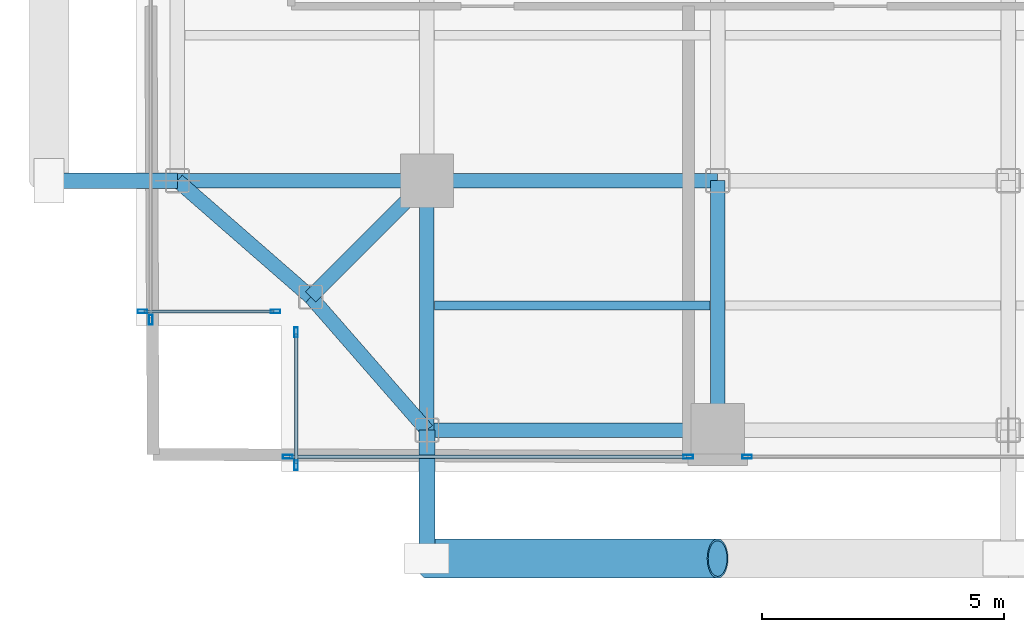
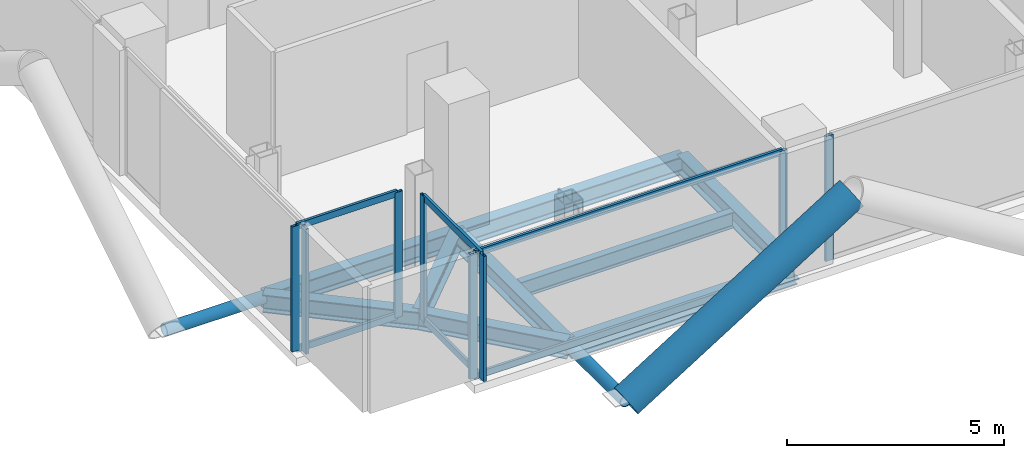
# One storey, part 2 of 28: 17 members, 9 beams, 5 elements without a shape of their own.
"""IFC4 building model written with IfcOpenShell, lengths in metres."""

from ifc_helpers import new_model, si_unit, direction, frame, origin, origin_2d, place, context, subcontext, project, spatial, hollow_rectangle, hollow_circle, i_section, extrude, material, layer, layer_set, material_profile, profile_set, type_object, element, aggregate, save


model = new_model("IFC4")

# Units and contexts
model_context = context("Model", 3, precision=1e-05, world=origin(), true_north=direction((0.0, 1.0)))
body_context = subcontext(model_context, "Body", "Model", "MODEL_VIEW")
ifc_project = project(units=[si_unit("LENGTHUNIT", "METRE"), si_unit("AREAUNIT", "SQUARE_METRE"), si_unit("VOLUMEUNIT", "CUBIC_METRE"), si_unit("PLANEANGLEUNIT", "RADIAN"), si_unit("MASSUNIT", "GRAM", prefix="KILO"), si_unit("THERMODYNAMICTEMPERATUREUNIT", "KELVIN"), si_unit("POWERUNIT", "WATT")], contexts=[model_context])

# Site, building, storey
site_placement = place(None, origin())
site = spatial("IfcSite", under=ifc_project, at=site_placement, CompositionType="ELEMENT")
building_placement = place(site_placement, origin())
building = spatial("IfcBuilding", under=site, at=building_placement, Name="Svarakhadi Broadcast Tower", CompositionType="ELEMENT")
storey_placement = place(building_placement, frame((0.0, 0.0, 134.39990234375)))
storey = spatial("IfcBuildingStorey", under=building, at=storey_placement, Name="L32", CompositionType="ELEMENT", Elevation=134.39990234375)

# Beam
ifc_material_1 = material(Name="Steel S355J2 (IS 2062 E350C)", Category="steel")
ifc_material_profile_1 = material_profile(ifc_material_1, i_section(OverallWidth=0.18994140625, OverallDepth=0.449951171875, WebThickness=0.009521484375, FlangeThickness=0.0146484375, FilletRadius=0.02099609375, at=origin_2d()), Name="NPB 450x190x78")
ifc_profile_set_1 = profile_set([ifc_material_profile_1], Name="Steel S355J2 (IS 2062 E350C)")
beam_type_1 = type_object("IfcBeamType", Name="Beam_NPB450", PredefinedType="BEAM", material=ifc_profile_set_1)
beam_1_placement = place(storey_placement, frame((6.159912109375, 3.425048828125, -0.449951171875), z_axis=(1.0, 0.0, 0.0), x_axis=(0.0, 1.0, 0.0)))
element("IfcBeam", 1, at=beam_1_placement, inside=storey, type_object=beam_type_1, Name="L32 Secondary Composite Beam SB006", PredefinedType="BEAM", context=body_context, shape_type="SweptSolid", body=[
    extrude(i_section(OverallWidth=0.18994140625, OverallDepth=0.449951171875, WebThickness=0.009521484375, FlangeThickness=0.0146484375, FilletRadius=0.02099609375, at=origin_2d()), origin(), (0.0, 0.0, 1.0), 5.68017578125),
])

# Curtain wall, members
ifc_material_2 = material(Name="Anodised Bronze Aluminium AA 6063-T6", Category="aluminium")
ifc_layer = layer(ifc_material_2, 0.199951171875)
ifc_layer_set = layer_set([ifc_layer], Name="Anodised Bronze Aluminium AA 6063-T6")
curtain_wall_type = type_object("IfcCurtainWallType", Name="CW_Sys_03", PredefinedType="NOTDEFINED", material=ifc_layer_set)
curtain_wall_1_placement = place(storey_placement, origin())
curtain_wall_1 = element("IfcCurtainWall", 2, at=curtain_wall_1_placement, inside=storey, type_object=curtain_wall_type, Name="L32 Unitised Facade Curtain Wall 01", PredefinedType="NOTDEFINED")
ifc_material_profile_2 = material_profile(ifc_material_2, hollow_rectangle(XDim=0.074951171875, YDim=0.199951171875, WallThickness=0.005615234375, at=origin_2d()), Name="ALU MULLION 200x75x6")
ifc_profile_set_2 = profile_set([ifc_material_profile_2], Name="Anodised Bronze Aluminium AA 6063-T6")
member_type_1 = type_object("IfcMemberType", Name="CW_Sys_03_Mul", PredefinedType="MULLION", material=ifc_profile_set_2)
member_1_placement = place(storey_placement, frame((2.87255859375, 3.300048828125, 0.0), z_axis=(0.0, 0.0, 1.0), x_axis=(0.0, -1.0, 0.0)))
member_1 = element("IfcMember", 3, at=member_1_placement, type_object=member_type_1, Name="CW-03 mullion 1", PredefinedType="MULLION", context=body_context, shape_type="SweptSolid", body=[
    extrude(hollow_rectangle(XDim=0.074951171875, YDim=0.199951171875, WallThickness=0.005615234375, at=origin_2d()), origin(), (0.0, 0.0, 1.0), 3.525146484375),
])
member_2_placement = place(storey_placement, frame((0.12744140625, 3.300048828125, 0.0), z_axis=(0.0, 0.0, 1.0), x_axis=(0.0, -1.0, 0.0)))
member_2 = element("IfcMember", 4, at=member_2_placement, type_object=member_type_1, Name="CW-03 mullion 2", PredefinedType="MULLION", context=body_context, shape_type="SweptSolid", body=[
    extrude(hollow_rectangle(XDim=0.074951171875, YDim=0.199951171875, WallThickness=0.005615234375, at=origin_2d()), origin(), (0.0, 0.0, 1.0), 3.525146484375),
])

# Curtain wall, member
curtain_wall_2_placement = place(storey_placement, origin())
curtain_wall_2 = element("IfcCurtainWall", 5, at=curtain_wall_2_placement, inside=storey, type_object=curtain_wall_type, Name="L32 West Curtain Wall 02 Bay 1", PredefinedType="NOTDEFINED")
member_3_placement = place(storey_placement, frame((0.300048828125, 3.12744140625, 0.0), z_axis=(0.0, 0.0, 1.0), x_axis=(-1.0, 0.0, 0.0)))
member_3 = element("IfcMember", 6, at=member_3_placement, type_object=member_type_1, Name="CW-03 mullion 1", PredefinedType="MULLION", context=body_context, shape_type="SweptSolid", body=[
    extrude(hollow_rectangle(XDim=0.074951171875, YDim=0.199951171875, WallThickness=0.005615234375, at=origin_2d()), origin(), (0.0, 0.0, 1.0), 3.525146484375),
])
aggregate(curtain_wall_2, [member_3])

curtain_wall_3_placement = place(storey_placement, origin())
curtain_wall_3 = element("IfcCurtainWall", 7, at=curtain_wall_3_placement, inside=storey, type_object=curtain_wall_type, Name="L32 South Curtain Wall 17 Bay 3", PredefinedType="NOTDEFINED")
member_4_placement = place(storey_placement, frame((12.607421875, 0.300048828125, 0.0), z_axis=(0.0, 0.0, 1.0), x_axis=(0.0, -1.0, 0.0)))
member_4 = element("IfcMember", 8, at=member_4_placement, type_object=member_type_1, Name="CW-03 mullion 2", PredefinedType="MULLION", context=body_context, shape_type="SweptSolid", body=[
    extrude(hollow_rectangle(XDim=0.074951171875, YDim=0.199951171875, WallThickness=0.005615234375, at=origin_2d()), origin(), (0.0, 0.0, 1.0), 3.525146484375),
])
aggregate(curtain_wall_3, [member_4])

# Curtain wall, members
curtain_wall_4_placement = place(storey_placement, origin())
curtain_wall_4 = element("IfcCurtainWall", 9, at=curtain_wall_4_placement, inside=storey, type_object=curtain_wall_type, Name="L32 South Curtain Wall 17 Bay 4", PredefinedType="NOTDEFINED")
member_5_placement = place(storey_placement, frame((11.392578125, 0.300048828125, 0.0), z_axis=(0.0, 0.0, 1.0), x_axis=(0.0, -1.0, 0.0)))
member_5 = element("IfcMember", 10, at=member_5_placement, type_object=member_type_1, Name="CW-03 mullion 1", PredefinedType="MULLION", context=body_context, shape_type="SweptSolid", body=[
    extrude(hollow_rectangle(XDim=0.074951171875, YDim=0.199951171875, WallThickness=0.005615234375, at=origin_2d()), origin(), (0.0, 0.0, 1.0), 3.525146484375),
])
member_6_placement = place(storey_placement, frame((3.12744140625, 0.300048828125, 0.0), z_axis=(0.0, 0.0, 1.0), x_axis=(0.0, -1.0, 0.0)))
member_6 = element("IfcMember", 11, at=member_6_placement, type_object=member_type_1, Name="CW-03 mullion 2", PredefinedType="MULLION", context=body_context, shape_type="SweptSolid", body=[
    extrude(hollow_rectangle(XDim=0.074951171875, YDim=0.199951171875, WallThickness=0.005615234375, at=origin_2d()), origin(), (0.0, 0.0, 1.0), 3.525146484375),
])

curtain_wall_5_placement = place(storey_placement, origin())
curtain_wall_5 = element("IfcCurtainWall", 12, at=curtain_wall_5_placement, inside=storey, type_object=curtain_wall_type, Name="L32 Unitised Facade Curtain Wall 18", PredefinedType="NOTDEFINED")
member_7_placement = place(storey_placement, frame((3.300048828125, 0.12744140625, 0.0), z_axis=(0.0, 0.0, 1.0), x_axis=(-1.0, 0.0, 0.0)))
member_7 = element("IfcMember", 13, at=member_7_placement, type_object=member_type_1, Name="CW-03 mullion 1", PredefinedType="MULLION", context=body_context, shape_type="SweptSolid", body=[
    extrude(hollow_rectangle(XDim=0.074951171875, YDim=0.199951171875, WallThickness=0.005615234375, at=origin_2d()), origin(), (0.0, 0.0, 1.0), 3.525146484375),
])
member_8_placement = place(storey_placement, frame((3.300048828125, 2.87255859375, 0.0), z_axis=(0.0, 0.0, 1.0), x_axis=(-1.0, 0.0, 0.0)))
member_8 = element("IfcMember", 14, at=member_8_placement, type_object=member_type_1, Name="CW-03 mullion 2", PredefinedType="MULLION", context=body_context, shape_type="SweptSolid", body=[
    extrude(hollow_rectangle(XDim=0.074951171875, YDim=0.199951171875, WallThickness=0.005615234375, at=origin_2d()), origin(), (0.0, 0.0, 1.0), 3.525146484375),
])

# Member
ifc_material_profile_3 = material_profile(ifc_material_2, hollow_rectangle(XDim=0.070068359375, YDim=0.18505859375, WallThickness=0.0048828125, at=origin_2d()), Name="ALU TRANSOM 185x70x5")
ifc_profile_set_3 = profile_set([ifc_material_profile_3], Name="Anodised Bronze Aluminium AA 6063-T6")
member_type_2 = type_object("IfcMemberType", Name="CW_Sys_03_Trn", PredefinedType="USERDEFINED", material=ifc_profile_set_3)
member_9_placement = place(storey_placement, frame((2.8349609375, 3.300048828125, 0.03515625), z_axis=(-1.0, 0.0, 0.0), x_axis=(0.0, -1.0, 0.0)))
member_9 = element("IfcMember", 15, at=member_9_placement, type_object=member_type_2, Name="CW-03 transom 1.1", ObjectType="TRANSOM", PredefinedType="USERDEFINED", context=body_context, shape_type="SweptSolid", body=[
    extrude(hollow_rectangle(XDim=0.070068359375, YDim=0.18505859375, WallThickness=0.0048828125, at=origin_2d()), origin(), (0.0, 0.0, 1.0), 2.669921875),
])

member_10_placement = place(storey_placement, frame((2.8349609375, 3.300048828125, 3.489990234375), z_axis=(-1.0, 0.0, 0.0), x_axis=(0.0, -1.0, 0.0)))
member_10 = element("IfcMember", 16, at=member_10_placement, type_object=member_type_2, Name="CW-03 transom 1.2", ObjectType="TRANSOM", PredefinedType="USERDEFINED", context=body_context, shape_type="SweptSolid", body=[
    extrude(hollow_rectangle(XDim=0.070068359375, YDim=0.18505859375, WallThickness=0.0048828125, at=origin_2d()), origin(), (0.0, 0.0, 1.0), 2.669921875),
])

aggregate(curtain_wall_1, [member_1, member_2, member_9, member_10])

member_11_placement = place(storey_placement, frame((11.35498046875, 0.300048828125, 0.03515625), z_axis=(-1.0, 0.0, 0.0), x_axis=(0.0, -1.0, 0.0)))
member_11 = element("IfcMember", 17, at=member_11_placement, type_object=member_type_2, Name="CW-03 transom 1.1", ObjectType="TRANSOM", PredefinedType="USERDEFINED", context=body_context, shape_type="SweptSolid", body=[
    extrude(hollow_rectangle(XDim=0.070068359375, YDim=0.18505859375, WallThickness=0.0048828125, at=origin_2d()), origin(), (0.0, 0.0, 1.0), 8.18994140625),
])

member_12_placement = place(storey_placement, frame((11.35498046875, 0.300048828125, 3.489990234375), z_axis=(-1.0, 0.0, 0.0), x_axis=(0.0, -1.0, 0.0)))
member_12 = element("IfcMember", 18, at=member_12_placement, type_object=member_type_2, Name="CW-03 transom 1.2", ObjectType="TRANSOM", PredefinedType="USERDEFINED", context=body_context, shape_type="SweptSolid", body=[
    extrude(hollow_rectangle(XDim=0.070068359375, YDim=0.18505859375, WallThickness=0.0048828125, at=origin_2d()), origin(), (0.0, 0.0, 1.0), 8.18994140625),
])

aggregate(curtain_wall_4, [member_5, member_6, member_11, member_12])

member_13_placement = place(storey_placement, frame((3.300048828125, 0.1650390625, 0.03515625), z_axis=(0.0, 1.0, 0.0), x_axis=(-1.0, 0.0, 0.0)))
member_13 = element("IfcMember", 19, at=member_13_placement, type_object=member_type_2, Name="CW-03 transom 1.1", ObjectType="TRANSOM", PredefinedType="USERDEFINED", context=body_context, shape_type="SweptSolid", body=[
    extrude(hollow_rectangle(XDim=0.070068359375, YDim=0.18505859375, WallThickness=0.0048828125, at=origin_2d()), origin(), (0.0, 0.0, 1.0), 2.669921875),
])

member_14_placement = place(storey_placement, frame((3.300048828125, 0.1650390625, 3.489990234375), z_axis=(0.0, 1.0, 0.0), x_axis=(-1.0, 0.0, 0.0)))
member_14 = element("IfcMember", 20, at=member_14_placement, type_object=member_type_2, Name="CW-03 transom 1.2", ObjectType="TRANSOM", PredefinedType="USERDEFINED", context=body_context, shape_type="SweptSolid", body=[
    extrude(hollow_rectangle(XDim=0.070068359375, YDim=0.18505859375, WallThickness=0.0048828125, at=origin_2d()), origin(), (0.0, 0.0, 1.0), 2.669921875),
])

aggregate(curtain_wall_5, [member_7, member_8, member_13, member_14])

# Members
ifc_material_3 = material(Name="Steel S460ML (IS 2062 E450BR)", Category="steel")
ifc_material_profile_4 = material_profile(ifc_material_3, hollow_circle(Radius=0.406494140625, WallThickness=0.0400390625, at=origin_2d()), Name="CHS 813x40")
ifc_profile_set_4 = profile_set([ifc_material_profile_4], Name="Steel S460ML (IS 2062 E450BR)")
member_type_3 = type_object("IfcMemberType", Name="Exo_Brace_CHS813", PredefinedType="BRACE", material=ifc_profile_set_4)
member_15_placement = place(storey_placement, frame((6.0, -1.800048828125, -0.386962890625), z_axis=(0.847998304005, 0.0, 0.529998940003), x_axis=(0.0, 1.0, 0.0)))
element("IfcMember", 21, at=member_15_placement, inside=storey, type_object=member_type_3, Name="L32 Exposed Bronze Exoskeleton Diagonal S01", PredefinedType="BRACE", context=body_context, shape_type="SweptSolid", body=[
    extrude(hollow_circle(Radius=0.406494140625, WallThickness=0.0400390625, at=origin_2d()), origin(), (0.0, 0.0, 1.0), 7.075439453125),
])
ifc_material_profile_5 = material_profile(ifc_material_3, hollow_circle(Radius=0.161865234375, WallThickness=0.01611328125, at=origin_2d()), Name="CHS 323.9x16")
ifc_profile_set_5 = profile_set([ifc_material_profile_5], Name="Steel S460ML (IS 2062 E450BR)")
member_type_4 = type_object("IfcMemberType", Name="Exo_Radial_Strut_Z2", PredefinedType="STRUT", material=ifc_profile_set_5)
for number, where, z_axis, x_axis, name in (
    (22, (6.0, -1.800048828125, -0.386962890625), (0.0, 1.0, 0.0), (-1.0, 0.0, 0.0), "L32 Exoskeleton Radial Tie Strut S01"),
    (23, (-1.800048828125, 6.0, -0.386962890625), (1.0, 0.0, 0.0), (0.0, 1.0, 0.0), "L32 Exoskeleton Radial Tie Strut W05"),
):
    element("IfcMember", number, at=place(storey_placement, frame(where, z_axis=z_axis, x_axis=x_axis)), inside=storey, type_object=member_type_4, Name=name, PredefinedType="STRUT", context=body_context, shape_type="SweptSolid", body=[
        extrude(hollow_circle(Radius=0.161865234375, WallThickness=0.01611328125, at=origin_2d()), origin(), (0.0, 0.0, 1.0), 2.650146484375),
    ])

# Beams
ifc_material_profile_6 = material_profile(ifc_material_1, i_section(OverallWidth=0.300048828125, OverallDepth=0.5, WebThickness=0.014404296875, FlangeThickness=0.028076171875, FilletRadius=0.027099609375, at=origin_2d()), Name="WPB 500x300x187")
ifc_profile_set_6 = profile_set([ifc_material_profile_6], Name="Steel S355J2 (IS 2062 E350C)")
beam_type_2 = type_object("IfcBeamType", Name="Girder_WPB500", PredefinedType="USERDEFINED", material=ifc_profile_set_6)
beam_2_placement = place(storey_placement, frame((3.60009765625, 3.60009765625, -0.474853515625), z_axis=(0.707106781187, 0.707106781187, 0.0), x_axis=(-0.707106781187, 0.707106781187, 0.0)))
element("IfcBeam", 24, at=beam_2_placement, inside=storey, type_object=beam_type_2, Name="L32 Corner Tie Girder G001", ObjectType="GIRDER", PredefinedType="USERDEFINED", context=body_context, shape_type="SweptSolid", body=[
    extrude(i_section(OverallWidth=0.300048828125, OverallDepth=0.5, WebThickness=0.014404296875, FlangeThickness=0.028076171875, FilletRadius=0.027099609375, at=origin_2d()), origin(), (0.0, 0.0, 1.0), 3.39404296875),
])
for number, where, z_axis, x_axis, name in (
    (25, (3.60009765625, 3.60009765625, -0.474853515625), (-0.753437912176, 0.657519058655, 0.0), (-0.657519058655, -0.753437912176, 0.0), "L32 Corner Tie Girder G002"),
    (26, (3.60009765625, 3.60009765625, -0.474853515625), (0.657519058655, -0.753437912176, 0.0), (0.753437912176, 0.657519058655, 0.0), "L32 Corner Tie Girder G003"),
):
    element("IfcBeam", number, at=place(storey_placement, frame(where, z_axis=z_axis, x_axis=x_axis)), inside=storey, type_object=beam_type_2, Name=name, ObjectType="GIRDER", PredefinedType="USERDEFINED", context=body_context, shape_type="SweptSolid", body=[
        extrude(i_section(OverallWidth=0.300048828125, OverallDepth=0.5, WebThickness=0.014404296875, FlangeThickness=0.028076171875, FilletRadius=0.027099609375, at=origin_2d()), origin(), (0.0, 0.0, 1.0), 3.64990234375),
    ])
beam_3_placement = place(storey_placement, frame((6.0, 0.85009765625, -0.474853515625), z_axis=(1.0, 0.0, 0.0), x_axis=(0.0, 1.0, 0.0)))
element("IfcBeam", 27, at=beam_3_placement, inside=storey, type_object=beam_type_2, Name="L32 Primary E-W Girder G004", ObjectType="GIRDER", PredefinedType="USERDEFINED", context=body_context, shape_type="SweptSolid", body=[
    extrude(i_section(OverallWidth=0.300048828125, OverallDepth=0.5, WebThickness=0.014404296875, FlangeThickness=0.028076171875, FilletRadius=0.027099609375, at=origin_2d()), origin(), (0.0, 0.0, 1.0), 6.0),
])
beam_4_placement = place(storey_placement, frame((0.85009765625, 6.0, -0.474853515625), z_axis=(1.0, 0.0, 0.0), x_axis=(0.0, 1.0, 0.0)))
element("IfcBeam", 28, at=beam_4_placement, inside=storey, type_object=beam_type_2, Name="L32 Primary E-W Girder G010", ObjectType="GIRDER", PredefinedType="USERDEFINED", context=body_context, shape_type="SweptSolid", body=[
    extrude(i_section(OverallWidth=0.300048828125, OverallDepth=0.5, WebThickness=0.014404296875, FlangeThickness=0.028076171875, FilletRadius=0.027099609375, at=origin_2d()), origin(), (0.0, 0.0, 1.0), 5.14990234375),
])
beam_5_placement = place(storey_placement, frame((6.0, 6.0, -0.474853515625), z_axis=(1.0, 0.0, 0.0), x_axis=(0.0, 1.0, 0.0)))
element("IfcBeam", 29, at=beam_5_placement, inside=storey, type_object=beam_type_2, Name="L32 Primary E-W Girder G011", ObjectType="GIRDER", PredefinedType="USERDEFINED", context=body_context, shape_type="SweptSolid", body=[
    extrude(i_section(OverallWidth=0.300048828125, OverallDepth=0.5, WebThickness=0.014404296875, FlangeThickness=0.028076171875, FilletRadius=0.027099609375, at=origin_2d()), origin(), (0.0, 0.0, 1.0), 6.0),
])
for number, where, z_axis, x_axis, name in (
    (30, (6.0, 0.85009765625, -0.474853515625), (0.0, 1.0, 0.0), (-1.0, 0.0, 0.0), "L32 Primary N-S Girder G045"),
    (31, (12.0, 0.85009765625, -0.474853515625), (0.0, 1.0, 0.0), (-1.0, 0.0, 0.0), "L32 Primary N-S Girder G051"),
):
    element("IfcBeam", number, at=place(storey_placement, frame(where, z_axis=z_axis, x_axis=x_axis)), inside=storey, type_object=beam_type_2, Name=name, ObjectType="GIRDER", PredefinedType="USERDEFINED", context=body_context, shape_type="SweptSolid", body=[
        extrude(i_section(OverallWidth=0.300048828125, OverallDepth=0.5, WebThickness=0.014404296875, FlangeThickness=0.028076171875, FilletRadius=0.027099609375, at=origin_2d()), origin(), (0.0, 0.0, 1.0), 5.14990234375),
    ])

save(model, "model.ifc")
